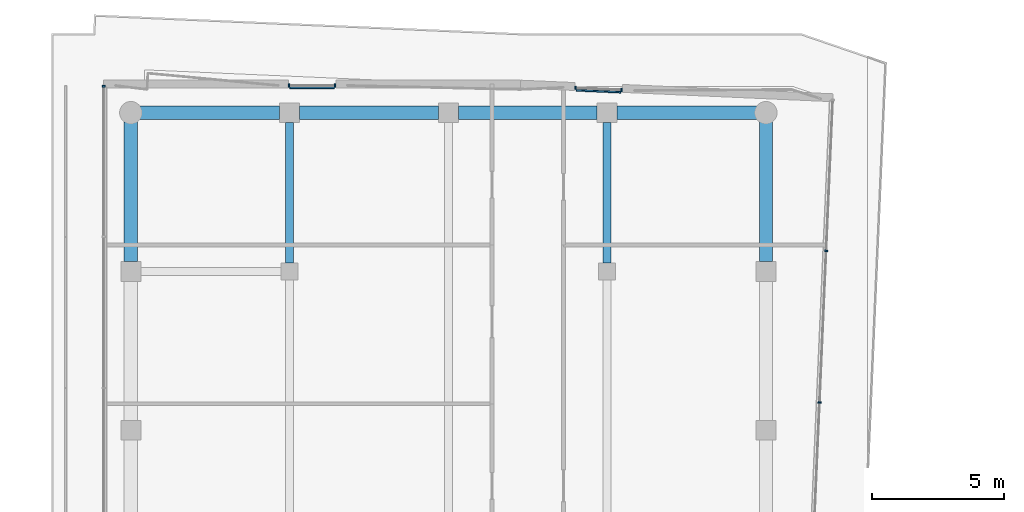
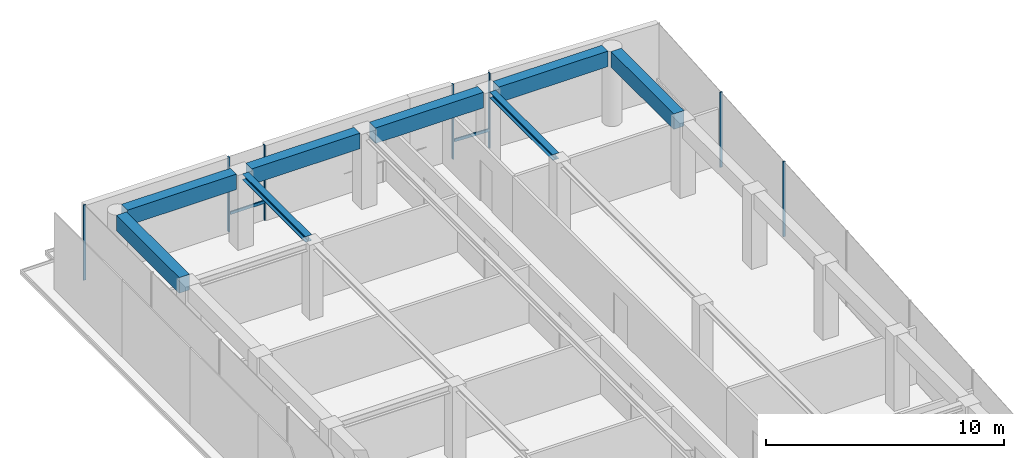
# One storey, part 12 of 19: 9 members, 8 beams, 4 elements without a shape of their own.
"""IFC4 building model written with IfcOpenShell, lengths in metres."""

from ifc_helpers import new_model, si_unit, direction, frame, origin, origin_2d, place, context, subcontext, project, spatial, rectangle, i_section, extrude, material, layer, layer_set, material_profile, profile_set, type_object, element, aggregate, save


model = new_model("IFC4")

# Units and contexts
model_context = context("Model", 3, precision=1e-05, world=origin(), true_north=direction((0.0, 1.0)))
body_context = subcontext(model_context, "Body", "Model", "MODEL_VIEW")
ifc_project = project(units=[si_unit("LENGTHUNIT", "METRE"), si_unit("AREAUNIT", "SQUARE_METRE"), si_unit("VOLUMEUNIT", "CUBIC_METRE"), si_unit("PLANEANGLEUNIT", "RADIAN"), si_unit("MASSUNIT", "GRAM", prefix="KILO")], contexts=[model_context])

# Site, building, storey
site_placement = place(None, origin())
site = spatial("IfcSite", under=ifc_project, at=site_placement, CompositionType="ELEMENT")
building_placement = place(site_placement, origin())
building = spatial("IfcBuilding", under=site, at=building_placement, Name="Welwitschia Terrace Campus", CompositionType="ELEMENT")
storey_placement = place(building_placement, frame((0.0, 0.0, 276.800048828125)))
storey = spatial("IfcBuildingStorey", under=building, at=storey_placement, Name="L61", CompositionType="ELEMENT", Elevation=276.800048828125)

# Beams
ifc_material_1 = material(Name="Steel S355", Category="steel")
ifc_material_profile_1 = material_profile(ifc_material_1, i_section(OverallWidth=0.300048828125, OverallDepth=0.300048828125, WebThickness=0.010986328125, FlangeThickness=0.01904296875, FilletRadius=0.027099609375, at=origin_2d()))
ifc_profile_set_1 = profile_set([ifc_material_profile_1], Name="Steel S355")
beam_type_1 = type_object("IfcBeamType", Name="Interior girder HE 300 B", PredefinedType="BEAM", material=ifc_profile_set_1)
for number, where, z_axis, x_axis, name in (
    (1, (6.0, 56.325439453125, 3.699951171875), (0.0, 1.0, 0.0), (-1.0, 0.0, 0.0), "Girder GB6"),
    (2, (18.0, 56.325439453125, 3.699951171875), (0.0, 1.0, 0.0), (-1.0, 0.0, 0.0), "Girder GB6"),
):
    element("IfcBeam", number, at=place(storey_placement, frame(where, z_axis=z_axis, x_axis=x_axis)), inside=storey, type_object=beam_type_1, Name=name, PredefinedType="BEAM", context=body_context, shape_type="SweptSolid", body=[
        extrude(i_section(OverallWidth=0.300048828125, OverallDepth=0.300048828125, WebThickness=0.010986328125, FlangeThickness=0.01904296875, FilletRadius=0.027099609375, at=origin_2d()), origin(), (0.0, 0.0, 1.0), 5.30908203125),
    ])

# Curtain wall, members
ifc_material_2 = material(Name="Bronze anodised aluminium", Category="aluminium")
ifc_layer = layer(ifc_material_2, 0.1201171875)
ifc_layer_set = layer_set([ifc_layer], Name="Bronze anodised aluminium")
curtain_wall_type = type_object("IfcCurtainWallType", Name="Curtain wall CW2 tower 6000", PredefinedType="NOTDEFINED", material=ifc_layer_set)
curtain_wall_1_placement = place(storey_placement, origin())
curtain_wall_1 = element("IfcCurtainWall", 3, at=curtain_wall_1_placement, inside=storey, type_object=curtain_wall_type, Name="CW L61.7.0", PredefinedType="NOTDEFINED")
ifc_material_3 = material(Name="Bronze anodised aluminium", Category="aluminium")
ifc_material_profile_2 = material_profile(ifc_material_3, rectangle(XDim=0.1201171875, YDim=0.06005859375, at=origin_2d()))
ifc_profile_set_2 = profile_set([ifc_material_profile_2], Name="Bronze anodised aluminium")
member_type_1 = type_object("IfcMemberType", Name="Mullion 60x120", PredefinedType="MULLION", material=ifc_profile_set_2)
member_1_placement = place(storey_placement, frame((26.030029296875, 51.0537109375, 0.0), z_axis=(0.0, 0.0, 1.0), x_axis=(-0.999048221582, 0.043619387365, 0.0)))
member_1 = element("IfcMember", 4, at=member_1_placement, type_object=member_type_1, Name="Mullion L61.7.0.4", PredefinedType="MULLION", context=body_context, shape_type="SweptSolid", body=[
    extrude(rectangle(XDim=0.1201171875, YDim=0.06005859375, at=origin_2d()), origin(), (0.0, 0.0, 1.0), 3.849853515625),
])
member_2_placement = place(storey_placement, frame((26.2802734375, 56.780517578125, 0.0), z_axis=(0.0, 0.0, 1.0), x_axis=(-0.999048221582, 0.043619387365, 0.0)))
member_2 = element("IfcMember", 5, at=member_2_placement, type_object=member_type_1, Name="Mullion L61.7.0.5", PredefinedType="MULLION", context=body_context, shape_type="SweptSolid", body=[
    extrude(rectangle(XDim=0.1201171875, YDim=0.06005859375, at=origin_2d()), origin(), (0.0, 0.0, 1.0), 3.849853515625),
])
aggregate(curtain_wall_1, [member_1, member_2])

curtain_wall_2_placement = place(storey_placement, origin())
curtain_wall_2 = element("IfcCurtainWall", 6, at=curtain_wall_2_placement, inside=storey, type_object=curtain_wall_type, Name="CW L61.8.S0", PredefinedType="NOTDEFINED")
member_3_placement = place(storey_placement, frame((18.54833984375, 62.86083984375, 0.0), z_axis=(0.0, 0.0, 1.0), x_axis=(-0.044259242784, -0.999020079592, 0.0)))
member_3 = element("IfcMember", 7, at=member_3_placement, type_object=member_type_1, Name="Mullion L61.8.S0.0", PredefinedType="MULLION", context=body_context, shape_type="SweptSolid", body=[
    extrude(rectangle(XDim=0.1201171875, YDim=0.06005859375, at=origin_2d()), origin(), (0.0, 0.0, 1.0), 3.849853515625),
])
member_4_placement = place(storey_placement, frame((16.81005859375, 62.937744140625, 0.0), z_axis=(0.0, 0.0, 1.0), x_axis=(-0.044259242784, -0.999020079592, 0.0)))
member_4 = element("IfcMember", 8, at=member_4_placement, type_object=member_type_1, Name="Mullion L61.8.S0.1", PredefinedType="MULLION", context=body_context, shape_type="SweptSolid", body=[
    extrude(rectangle(XDim=0.1201171875, YDim=0.06005859375, at=origin_2d()), origin(), (0.0, 0.0, 1.0), 3.849853515625),
])

curtain_wall_3_placement = place(storey_placement, origin())
curtain_wall_3 = element("IfcCurtainWall", 9, at=curtain_wall_3_placement, inside=storey, type_object=curtain_wall_type, Name="CW L61.9.S0", PredefinedType="NOTDEFINED")
member_5_placement = place(storey_placement, frame((7.719482421875, 63.030029296875, 0.0), z_axis=(0.0, 0.0, 1.0), x_axis=(0.0, -1.0, 0.0)))
member_5 = element("IfcMember", 10, at=member_5_placement, type_object=member_type_1, Name="Mullion L61.9.S0.0", PredefinedType="MULLION", context=body_context, shape_type="SweptSolid", body=[
    extrude(rectangle(XDim=0.1201171875, YDim=0.06005859375, at=origin_2d()), origin(), (0.0, 0.0, 1.0), 3.849853515625),
])
member_6_placement = place(storey_placement, frame((5.9794921875, 63.030029296875, 0.0), z_axis=(0.0, 0.0, 1.0), x_axis=(0.0, -1.0, 0.0)))
member_6 = element("IfcMember", 11, at=member_6_placement, type_object=member_type_1, Name="Mullion L61.9.S0.1", PredefinedType="MULLION", context=body_context, shape_type="SweptSolid", body=[
    extrude(rectangle(XDim=0.1201171875, YDim=0.06005859375, at=origin_2d()), origin(), (0.0, 0.0, 1.0), 3.849853515625),
])

# Curtain wall, member
curtain_wall_4_placement = place(storey_placement, origin())
curtain_wall_4 = element("IfcCurtainWall", 12, at=curtain_wall_4_placement, inside=storey, type_object=curtain_wall_type, Name="CW L61.10.0", PredefinedType="NOTDEFINED")
member_7_placement = place(storey_placement, frame((-1.030029296875, 63.0, 0.0), z_axis=(0.0, 0.0, 1.0), x_axis=(1.0, 0.0, 0.0)))
member_7 = element("IfcMember", 13, at=member_7_placement, type_object=member_type_1, Name="Mullion L61.10.0.0", PredefinedType="MULLION", context=body_context, shape_type="SweptSolid", body=[
    extrude(rectangle(XDim=0.1201171875, YDim=0.06005859375, at=origin_2d()), origin(), (0.0, 0.0, 1.0), 3.849853515625),
])
aggregate(curtain_wall_4, [member_7])

# Beams
ifc_material_4 = material(Name="Concrete C50/60", Category="concrete")
ifc_material_profile_3 = material_profile(ifc_material_4, rectangle(XDim=0.5, YDim=0.800048828125, at=origin_2d()))
ifc_profile_set_3 = profile_set([ifc_material_profile_3], Name="Concrete C50/60")
beam_type_2 = type_object("IfcBeamType", Name="Ring spandrel 500x800", PredefinedType="SPANDREL", material=ifc_profile_set_3)
for number, where, z_axis, x_axis, name in (
    (14, (24.0, 56.37548828125, 3.449951171875), (0.0, 1.0, 0.0), (-1.0, 0.0, 0.0), "Spandrel SP4"),
    (15, (23.655517578125, 62.0, 3.449951171875), (-1.0, 0.0, 0.0), (0.0, -1.0, 0.0), "Spandrel SP4"),
):
    element("IfcBeam", number, at=place(storey_placement, frame(where, z_axis=z_axis, x_axis=x_axis)), inside=storey, type_object=beam_type_2, Name=name, PredefinedType="SPANDREL", context=body_context, shape_type="SweptSolid", body=[
        extrude(rectangle(XDim=0.5, YDim=0.800048828125, at=origin_2d()), origin(), (0.0, 0.0, 1.0), 5.280029296875),
    ])
for number, where, z_axis, x_axis, name in (
    (16, (17.62451171875, 62.0, 3.449951171875), (-1.0, 0.0, 0.0), (0.0, -1.0, 0.0), "Spandrel SP4"),
    (17, (11.62451171875, 62.0, 3.449951171875), (-1.0, 0.0, 0.0), (0.0, -1.0, 0.0), "Spandrel SP4"),
):
    element("IfcBeam", number, at=place(storey_placement, frame(where, z_axis=z_axis, x_axis=x_axis)), inside=storey, type_object=beam_type_2, Name=name, PredefinedType="SPANDREL", context=body_context, shape_type="SweptSolid", body=[
        extrude(rectangle(XDim=0.5, YDim=0.800048828125, at=origin_2d()), origin(), (0.0, 0.0, 1.0), 5.2490234375),
    ])
for number, where, z_axis, x_axis, name in (
    (18, (5.62451171875, 62.0, 3.449951171875), (-1.0, 0.0, 0.0), (0.0, -1.0, 0.0), "Spandrel SP4"),
    (19, (0.0, 61.655517578125, 3.449951171875), (0.0, -1.0, 0.0), (1.0, 0.0, 0.0), "Spandrel SP4"),
):
    element("IfcBeam", number, at=place(storey_placement, frame(where, z_axis=z_axis, x_axis=x_axis)), inside=storey, type_object=beam_type_2, Name=name, PredefinedType="SPANDREL", context=body_context, shape_type="SweptSolid", body=[
        extrude(rectangle(XDim=0.5, YDim=0.800048828125, at=origin_2d()), origin(), (0.0, 0.0, 1.0), 5.280029296875),
    ])

# Member
ifc_material_5 = material(Name="Bronze anodised aluminium", Category="aluminium")
ifc_material_profile_4 = material_profile(ifc_material_5, rectangle(XDim=0.06005859375, YDim=0.14990234375, at=origin_2d()))
ifc_profile_set_4 = profile_set([ifc_material_profile_4], Name="Bronze anodised aluminium")
member_type_2 = type_object("IfcMemberType", Name="Transom 60x150", PredefinedType="USERDEFINED", material=ifc_profile_set_4)
member_8_placement = place(storey_placement, frame((18.514404296875, 62.772216796875, 1.0), z_axis=(-0.999017384085, 0.044320043949, 0.0), x_axis=(-0.044320043949, -0.999017384085, 0.0)))
member_8 = element("IfcMember", 20, at=member_8_placement, type_object=member_type_2, Name="Transom L61.8.S0", ObjectType="TRANSOM", PredefinedType="USERDEFINED", context=body_context, shape_type="SweptSolid", body=[
    extrude(rectangle(XDim=0.06005859375, YDim=0.14990234375, at=origin_2d()), origin(), (0.0, 0.0, 1.0), 1.68017578125),
])

aggregate(curtain_wall_2, [member_3, member_4, member_8])

member_9_placement = place(storey_placement, frame((7.689453125, 62.93994140625, 1.0), z_axis=(-1.0, 0.0, 0.0), x_axis=(0.0, -1.0, 0.0)))
member_9 = element("IfcMember", 21, at=member_9_placement, type_object=member_type_2, Name="Transom L61.9.S0", ObjectType="TRANSOM", PredefinedType="USERDEFINED", context=body_context, shape_type="SweptSolid", body=[
    extrude(rectangle(XDim=0.06005859375, YDim=0.14990234375, at=origin_2d()), origin(), (0.0, 0.0, 1.0), 1.679931640625),
])

aggregate(curtain_wall_3, [member_5, member_6, member_9])

save(model, "model.ifc")
